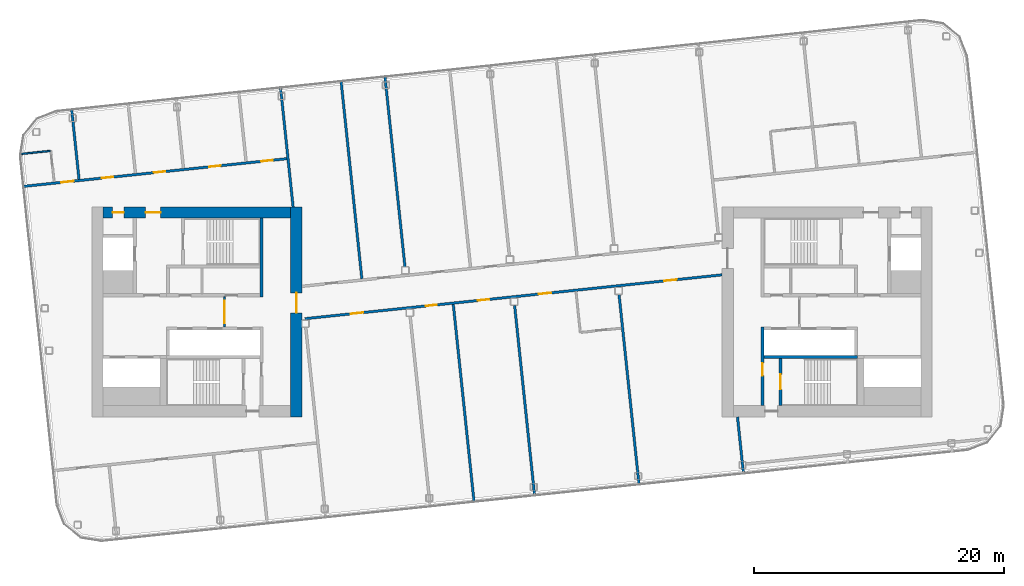
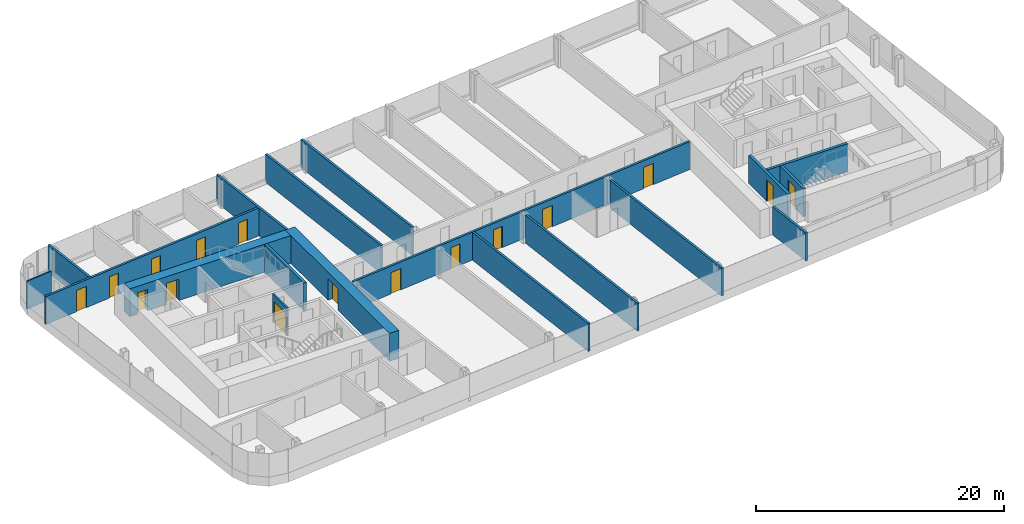
# One storey, part 15 of 26: 18 walls, 16 doors, 16 openings.
"""IFC4 building model written with IfcOpenShell, lengths in metres."""

from ifc_helpers import new_model, si_unit, direction, frame, frame_2d, origin, place, context, subcontext, project, spatial, rectangle, extrude, material, layer, layer_set, type_object, element, fill, save


model = new_model("IFC4")

# Units and contexts
model_context = context("Model", 3, precision=1e-05, world=origin(), true_north=direction((0.0, 1.0)))
body_context = subcontext(model_context, "Body", "Model", "MODEL_VIEW")
ifc_project = project(units=[si_unit("LENGTHUNIT", "METRE"), si_unit("AREAUNIT", "SQUARE_METRE"), si_unit("VOLUMEUNIT", "CUBIC_METRE"), si_unit("PLANEANGLEUNIT", "RADIAN"), si_unit("MASSUNIT", "GRAM", prefix="KILO")], contexts=[model_context])

# Site, building, storey
site_placement = place(None, origin())
site = spatial("IfcSite", under=ifc_project, at=site_placement, CompositionType="ELEMENT")
building_placement = place(site_placement, origin())
building = spatial("IfcBuilding", under=site, at=building_placement, Name="Hakoniwa Tower and Hamabe Station Hall", CompositionType="ELEMENT")
storey_placement = place(building_placement, frame((0.0, 0.0, 251.800048828125)))
storey = spatial("IfcBuildingStorey", under=building, at=storey_placement, Name="L71", CompositionType="ELEMENT", Elevation=251.800048828125)

# Wall
ifc_material_1 = material(Name="Gypsum board partition", Category="gypsum")
ifc_layer_1 = layer(ifc_material_1, 0.125)
ifc_layer_set_1 = layer_set([ifc_layer_1], Name="Bathroom Partition 125")
wall_type_1 = type_object("IfcWallType", Name="Bathroom Partition 125", PredefinedType="PARTITIONING", material=ifc_layer_set_1)
wall_1_placement = place(storey_placement, frame((-39.336181640625, 12.62353515625, 0.0), z_axis=(0.0, 0.0, 1.0), x_axis=(0.994528281662, 0.104467683877, 0.0)))
element("IfcWall", 1, at=wall_1_placement, inside=storey, type_object=wall_type_1, Name="GW-L71-009", PredefinedType="PARTITIONING", context=body_context, shape_type="SweptSolid", body=[
    extrude(rectangle(XDim=2.400146484375, YDim=0.125, at=frame_2d((1.2001953125, 0.0))), origin(), (0.0, 0.0, 1.0), 2.75),
])

# Wall, opening, door
ifc_material_2 = material(Name="Gypsum board partition")
ifc_layer_2 = layer(ifc_material_2, 0.14990234375)
ifc_layer_set_2 = layer_set([ifc_layer_2], Name="CORE PARTITION 150 EI 60")
wall_type_2 = type_object("IfcWallType", Name="CORE PARTITION 150 EI 60", PredefinedType="PARTITIONING", material=ifc_layer_set_2)
wall_2_placement = place(storey_placement, frame((-23.0, -1.199951171875, 0.0), z_axis=(0.0, 0.0, 1.0), x_axis=(0.0, 1.0, 0.0)))
wall_2 = element("IfcWall", 2, at=wall_2_placement, inside=storey, type_object=wall_type_2, Name="Core partition PL0 west", PredefinedType="PARTITIONING", context=body_context, shape_type="SweptSolid", body=[
    extrude(rectangle(XDim=2.39990234375, YDim=0.14990234375, at=frame_2d((1.199951171875, 0.0))), origin(), (0.0, 0.0, 1.0), 2.75),
])
opening_1_placement = place(wall_2_placement, frame((0.300048828125, 0.0, 0.0)))
opening_1 = element("IfcOpeningElement", 3, at=opening_1_placement, cuts=wall_2, Name="Opening CD-W-LP0-18", PredefinedType="OPENING", context=body_context, shape_type="SweptSolid", body=[
    extrude(rectangle(XDim=1.800048828125, YDim=2.10009765625, at=frame_2d((0.89990234375, 1.050048828125))), frame((0.0, 0.0849609375, 0.0), z_axis=(0.0, -1.0, 0.0), x_axis=(1.0, 0.0, 0.0)), (0.0, 0.0, 1.0), 0.169921875),
])
ifc_material_3 = material(Name="Steel fire door", Category="steel")
door_type_1 = type_object("IfcDoorType", Name="CORE DOOR 1800 FD60", OperationType="DOUBLE_DOOR_SINGLE_SWING", PredefinedType="DOOR", material=ifc_material_3)
door_1_placement = place(opening_1_placement, origin())
door_1 = element("IfcDoor", 4, at=door_1_placement, inside=storey, type_object=door_type_1, Name="Lift lobby partition door", OperationType="DOUBLE_DOOR_SINGLE_SWING", OverallHeight=2.10009765625, OverallWidth=1.800048828125, PredefinedType="DOOR", context=body_context, shape_type="SweptSolid", body=[
    extrude(rectangle(XDim=1.800048828125, YDim=2.10009765625, at=frame_2d((0.89990234375, 1.050048828125))), frame((0.0, 0.02490234375, 0.0), z_axis=(0.0, -1.0, 0.0), x_axis=(1.0, 0.0, 0.0)), (0.0, 0.0, 1.0), 0.050048828125),
])
fill(opening_1, door_1)

ifc_material_4 = material(Name="Concrete C60", Category="concrete")
ifc_layer_3 = layer(ifc_material_4, 0.89990234375)
ifc_layer_set_3 = layer_set([ifc_layer_3], Name="CORE WALL 900 C60")
wall_type_3 = type_object("IfcWallType", Name="CORE WALL 900 C60", PredefinedType="SHEAR", material=ifc_layer_set_3)
wall_3_placement = place(storey_placement, frame((-17.25, -8.39990234375, 0.0), z_axis=(0.0, 0.0, 1.0), x_axis=(0.0, 1.0, 0.0)))
wall_3 = element("IfcWall", 5, at=wall_3_placement, inside=storey, type_object=wall_type_3, Name="Core wall INNER west", PredefinedType="SHEAR", context=body_context, shape_type="SweptSolid", body=[
    extrude(rectangle(XDim=16.7998046875, YDim=0.89990234375, at=frame_2d((8.39990234375, 0.0))), origin(), (0.0, 0.0, 1.0), 2.75),
])
opening_2_placement = place(wall_3_placement, frame((8.321044921875, 0.0, 0.0)))
opening_2 = element("IfcOpeningElement", 6, at=opening_2_placement, cuts=wall_3, Name="Opening CD-W-IN1-16", PredefinedType="OPENING", context=body_context, shape_type="SweptSolid", body=[
    extrude(rectangle(XDim=1.60009765625, YDim=2.10009765625, at=frame_2d((0.800048828125, 1.050048828125))), frame((0.0, 0.4599609375, 0.0), z_axis=(0.0, -1.0, 0.0), x_axis=(1.0, 0.0, 0.0)), (0.0, 0.0, 1.0), 0.919921875),
])
ifc_material_5 = material(Name="Steel fire door", Category="steel")
door_type_2 = type_object("IfcDoorType", Name="CORE DOOR 1600 FD60", OperationType="DOUBLE_DOOR_SINGLE_SWING", PredefinedType="DOOR", material=ifc_material_5)
door_2_placement = place(opening_2_placement, origin())
door_2 = element("IfcDoor", 7, at=door_2_placement, inside=storey, type_object=door_type_2, Name="Lift lobby door", OperationType="DOUBLE_DOOR_SINGLE_SWING", OverallHeight=2.10009765625, OverallWidth=1.60009765625, PredefinedType="DOOR", context=body_context, shape_type="SweptSolid", body=[
    extrude(rectangle(XDim=1.60009765625, YDim=2.10009765625, at=frame_2d((0.800048828125, 1.050048828125))), frame((0.0, 0.02490234375, 0.0), z_axis=(0.0, -1.0, 0.0), x_axis=(1.0, 0.0, 0.0)), (0.0, 0.0, 1.0), 0.050048828125),
])
fill(opening_2, door_2)

# Wall, openings, doors
wall_4_placement = place(storey_placement, frame((-32.699951171875, 7.949951171875, 0.0), z_axis=(0.0, 0.0, 1.0), x_axis=(1.0, 0.0, 0.0)))
wall_4 = element("IfcWall", 8, at=wall_4_placement, inside=storey, type_object=wall_type_3, Name="Core wall NORTH west", PredefinedType="SHEAR", context=body_context, shape_type="SweptSolid", body=[
    extrude(rectangle(XDim=15.0, YDim=0.89990234375, at=frame_2d((7.5, 0.0))), origin(), (0.0, 0.0, 1.0), 2.75),
])
opening_3_placement = place(wall_4_placement, frame((3.39990234375, 0.0, 0.0)))
opening_3 = element("IfcOpeningElement", 9, at=opening_3_placement, cuts=wall_4, Name="Opening CD-W-FN1-12", PredefinedType="OPENING", context=body_context, shape_type="SweptSolid", body=[
    extrude(rectangle(XDim=1.199951171875, YDim=2.10009765625, at=frame_2d((0.60009765625, 1.050048828125))), frame((0.0, 0.4599609375, 0.0), z_axis=(0.0, -1.0, 0.0), x_axis=(1.0, 0.0, 0.0)), (0.0, 0.0, 1.0), 0.919921875),
])
opening_4_placement = place(wall_4_placement, frame((0.75, 0.0, 0.0)))
opening_4 = element("IfcOpeningElement", 10, at=opening_4_placement, cuts=wall_4, Name="Opening CD-W-FN2-9", PredefinedType="OPENING", context=body_context, shape_type="SweptSolid", body=[
    extrude(rectangle(XDim=0.89990234375, YDim=2.10009765625, at=frame_2d((0.449951171875, 1.050048828125))), frame((0.0, 0.4599609375, 0.0), z_axis=(0.0, -1.0, 0.0), x_axis=(1.0, 0.0, 0.0)), (0.0, 0.0, 1.0), 0.919921875),
])
ifc_material_6 = material(Name="Steel fire door", Category="steel")
door_type_3 = type_object("IfcDoorType", Name="CORE DOOR 1200 FD60", OperationType="DOUBLE_DOOR_SINGLE_SWING", PredefinedType="DOOR", material=ifc_material_6)
door_3_placement = place(opening_3_placement, origin())
door_3 = element("IfcDoor", 11, at=door_3_placement, inside=storey, type_object=door_type_3, Name="Stair vestibule door to the fire-fighting lobby", OperationType="DOUBLE_DOOR_SINGLE_SWING", OverallHeight=2.10009765625, OverallWidth=1.199951171875, PredefinedType="DOOR", context=body_context, shape_type="SweptSolid", body=[
    extrude(rectangle(XDim=1.199951171875, YDim=2.10009765625, at=frame_2d((0.60009765625, 1.050048828125))), frame((0.0, 0.02490234375, 0.0), z_axis=(0.0, -1.0, 0.0), x_axis=(1.0, 0.0, 0.0)), (0.0, 0.0, 1.0), 0.050048828125),
])
fill(opening_3, door_3)
ifc_material_7 = material(Name="Steel fire door", Category="steel")
door_type_4 = type_object("IfcDoorType", Name="CORE DOOR 900 FD30", OperationType="NOTDEFINED", PredefinedType="DOOR", material=ifc_material_7)
door_4_placement = place(opening_4_placement, origin())
door_4 = element("IfcDoor", 12, at=door_4_placement, inside=storey, type_object=door_type_4, Name="Riser access door", OperationType="SINGLE_SWING_RIGHT", OverallHeight=2.10009765625, OverallWidth=0.89990234375, PredefinedType="DOOR", context=body_context, shape_type="SweptSolid", body=[
    extrude(rectangle(XDim=0.89990234375, YDim=2.10009765625, at=frame_2d((0.449951171875, 1.050048828125))), frame((0.0, 0.02490234375, 0.0), z_axis=(0.0, -1.0, 0.0), x_axis=(1.0, 0.0, 0.0)), (0.0, 0.0, 1.0), 0.050048828125),
])
fill(opening_4, door_4)

# Wall
ifc_material_8 = material(Name="Concrete C60", Category="concrete")
ifc_layer_4 = layer(ifc_material_8, 0.25)
ifc_layer_set_4 = layer_set([ifc_layer_4], Name="CORE WEB WALL 250 C60")
wall_type_4 = type_object("IfcWallType", Name="CORE WEB WALL 250 C60", PredefinedType="SHEAR", material=ifc_layer_set_4)
wall_5_placement = place(storey_placement, frame((-20.02490234375, 1.199951171875, 0.0), z_axis=(0.0, 0.0, 1.0), x_axis=(0.0, 1.0, 0.0)))
element("IfcWall", 13, at=wall_5_placement, inside=storey, type_object=wall_type_4, Name="Core wall W1N west", PredefinedType="SHEAR", context=body_context, shape_type="SweptSolid", body=[
    extrude(rectangle(XDim=6.300048828125, YDim=0.25, at=frame_2d((3.14990234375, 0.0))), origin(), (0.0, 0.0, 1.0), 2.75),
])

# Wall, opening, door
wall_6_placement = place(storey_placement, frame((20.02490234375, -7.5, 0.0), z_axis=(0.0, 0.0, 1.0), x_axis=(0.0, 1.0, 0.0)))
wall_6 = element("IfcWall", 14, at=wall_6_placement, inside=storey, type_object=wall_type_4, Name="Core wall W1S east", PredefinedType="SHEAR", context=body_context, shape_type="SweptSolid", body=[
    extrude(rectangle(XDim=6.300048828125, YDim=0.25, at=frame_2d((3.14990234375, 0.0))), origin(), (0.0, 0.0, 1.0), 2.75),
])
opening_5_placement = place(wall_6_placement, frame((2.39990234375, 0.0, 0.0)))
opening_5 = element("IfcOpeningElement", 15, at=opening_5_placement, cuts=wall_6, Name="Opening CD-E-VS-10", PredefinedType="OPENING", context=body_context, shape_type="SweptSolid", body=[
    extrude(rectangle(XDim=1.0, YDim=2.10009765625, at=frame_2d((0.5, 1.050048828125))), frame((0.0, 0.135009765625, 0.0), z_axis=(0.0, -1.0, 0.0), x_axis=(1.0, 0.0, 0.0)), (0.0, 0.0, 1.0), 0.27001953125),
])
ifc_material_9 = material(Name="Steel fire door", Category="steel")
door_type_5 = type_object("IfcDoorType", Name="CORE DOOR 1000 FD60", OperationType="NOTDEFINED", PredefinedType="DOOR", material=ifc_material_9)
door_5_placement = place(opening_5_placement, origin())
door_5 = element("IfcDoor", 16, at=door_5_placement, inside=storey, type_object=door_type_5, Name="Stair vestibule door", OperationType="SINGLE_SWING_RIGHT", OverallHeight=2.10009765625, OverallWidth=1.0, PredefinedType="DOOR", context=body_context, shape_type="SweptSolid", body=[
    extrude(rectangle(XDim=1.0, YDim=2.10009765625, at=frame_2d((0.5, 1.050048828125))), frame((0.0, 0.02490234375, 0.0), z_axis=(0.0, -1.0, 0.0), x_axis=(1.0, 0.0, 0.0)), (0.0, 0.0, 1.0), 0.050048828125),
])
fill(opening_5, door_5)

# Wall
wall_7_placement = place(storey_placement, frame((20.14990234375, -3.625, 0.0), z_axis=(0.0, 0.0, 1.0), x_axis=(1.0, 0.0, 0.0)))
element("IfcWall", 17, at=wall_7_placement, inside=storey, type_object=wall_type_4, Name="Core wall SR east", PredefinedType="SHEAR", context=body_context, shape_type="SweptSolid", body=[
    extrude(rectangle(XDim=7.5, YDim=0.25, at=frame_2d((3.75, 0.0))), origin(), (0.0, 0.0, 1.0), 2.75),
])

# Wall, opening, door
wall_8_placement = place(storey_placement, frame((21.47509765625, -7.5, 0.0), z_axis=(0.0, 0.0, 1.0), x_axis=(0.0, 1.0, 0.0)))
wall_8 = element("IfcWall", 18, at=wall_8_placement, inside=storey, type_object=wall_type_4, Name="Core wall VE east", PredefinedType="SHEAR", context=body_context, shape_type="SweptSolid", body=[
    extrude(rectangle(XDim=3.75, YDim=0.25, at=frame_2d((1.875, 0.0))), origin(), (0.0, 0.0, 1.0), 2.75),
])
opening_6_placement = place(wall_8_placement, frame((1.300048828125, 0.0, 0.0)))
opening_6 = element("IfcOpeningElement", 19, at=opening_6_placement, cuts=wall_8, Name="Opening CD-E-SS-12", PredefinedType="OPENING", context=body_context, shape_type="SweptSolid", body=[
    extrude(rectangle(XDim=1.199951171875, YDim=2.10009765625, at=frame_2d((0.60009765625, 1.050048828125))), frame((0.0, 0.135009765625, 0.0), z_axis=(0.0, -1.0, 0.0), x_axis=(1.0, 0.0, 0.0)), (0.0, 0.0, 1.0), 0.27001953125),
])
door_6_placement = place(opening_6_placement, origin())
door_6 = element("IfcDoor", 20, at=door_6_placement, inside=storey, type_object=door_type_3, Name="Escape stair door", OperationType="DOUBLE_DOOR_SINGLE_SWING", OverallHeight=2.10009765625, OverallWidth=1.199951171875, PredefinedType="DOOR", context=body_context, shape_type="SweptSolid", body=[
    extrude(rectangle(XDim=1.199951171875, YDim=2.10009765625, at=frame_2d((0.60009765625, 1.050048828125))), frame((0.0, 0.02490234375, 0.0), z_axis=(0.0, -1.0, 0.0), x_axis=(1.0, 0.0, 0.0)), (0.0, 0.0, 1.0), 0.050048828125),
])
fill(opening_6, door_6)

# Wall, openings, doors
ifc_material_10 = material(Name="Fire-rated gypsum board partition", Category="gypsum")
ifc_layer_5 = layer(ifc_material_10, 0.199951171875)
ifc_layer_set_5 = layer_set([ifc_layer_5], Name="Corridor Wall 200")
wall_type_5 = type_object("IfcWallType", Name="Corridor Wall 200", PredefinedType="PARTITIONING", material=ifc_layer_set_5)
wall_9_placement = place(storey_placement, frame((-16.572021484375, -0.549072265625, 0.0), z_axis=(0.0, 0.0, 1.0), x_axis=(0.994521146831, 0.104535584879, 0.0)))
wall_9 = element("IfcWall", 21, at=wall_9_placement, inside=storey, type_object=wall_type_5, Name="GW-L71-004", PredefinedType="PARTITIONING", context=body_context, shape_type="SweptSolid", body=[
    extrude(rectangle(XDim=33.560791015625, YDim=0.199951171875, at=frame_2d((16.7802734375, 0.0))), origin(), (0.0, 0.0, 1.0), 2.75),
])
opening_7_placement = place(wall_9_placement, frame((3.699951171875, 0.0, 0.0)))
opening_7 = element("IfcOpeningElement", 22, at=opening_7_placement, cuts=wall_9, Name="Opening GD-G5A1-06", PredefinedType="OPENING", context=body_context, shape_type="SweptSolid", body=[
    extrude(rectangle(XDim=1.0, YDim=2.10009765625, at=frame_2d((0.5, 1.050048828125))), frame((0.0, 0.10986328125, 0.0), z_axis=(0.0, -1.0, 0.0), x_axis=(1.0, 0.0, 0.0)), (0.0, 0.0, 1.0), 0.219970703125),
])
opening_8_placement = place(wall_9_placement, frame((9.715087890625, 0.0, 0.0)))
opening_8 = element("IfcOpeningElement", 23, at=opening_8_placement, cuts=wall_9, Name="Opening GD-G5A1-07", PredefinedType="OPENING", context=body_context, shape_type="SweptSolid", body=[
    extrude(rectangle(XDim=0.89990234375, YDim=2.10009765625, at=frame_2d((0.449951171875, 1.050048828125))), frame((0.0, 0.10986328125, 0.0), z_axis=(0.0, -1.0, 0.0), x_axis=(1.0, 0.0, 0.0)), (0.0, 0.0, 1.0), 0.219970703125),
])
opening_9_placement = place(wall_9_placement, frame((13.9150390625, 0.0, 0.0)))
opening_9 = element("IfcOpeningElement", 24, at=opening_9_placement, cuts=wall_9, Name="Opening GD-G5A1-08", PredefinedType="OPENING", context=body_context, shape_type="SweptSolid", body=[
    extrude(rectangle(XDim=0.89990234375, YDim=2.10009765625, at=frame_2d((0.449951171875, 1.050048828125))), frame((0.0, 0.10986328125, 0.0), z_axis=(0.0, -1.0, 0.0), x_axis=(1.0, 0.0, 0.0)), (0.0, 0.0, 1.0), 0.219970703125),
])
opening_10_placement = place(wall_9_placement, frame((18.800048828125, 0.0, 0.0)))
opening_10 = element("IfcOpeningElement", 25, at=opening_10_placement, cuts=wall_9, Name="Opening GD-G5A1-09", PredefinedType="OPENING", context=body_context, shape_type="SweptSolid", body=[
    extrude(rectangle(XDim=1.0, YDim=2.10009765625, at=frame_2d((0.5, 1.050048828125))), frame((0.0, 0.10986328125, 0.0), z_axis=(0.0, -1.0, 0.0), x_axis=(1.0, 0.0, 0.0)), (0.0, 0.0, 1.0), 0.219970703125),
])
opening_11_placement = place(wall_9_placement, frame((28.89990234375, 0.0, 0.0)))
opening_11 = element("IfcOpeningElement", 26, at=opening_11_placement, cuts=wall_9, Name="Opening GD-G5A1-10", PredefinedType="OPENING", context=body_context, shape_type="SweptSolid", body=[
    extrude(rectangle(XDim=1.0, YDim=2.10009765625, at=frame_2d((0.5, 1.050048828125))), frame((0.0, 0.10986328125, 0.0), z_axis=(0.0, -1.0, 0.0), x_axis=(1.0, 0.0, 0.0)), (0.0, 0.0, 1.0), 0.219970703125),
])
ifc_material_11 = material(Name="Timber door leaf", Category="wood")
door_type_6 = type_object("IfcDoorType", Name="Guest Entrance Door 1000", OperationType="SINGLE_SWING_LEFT", PredefinedType="DOOR", material=ifc_material_11)
door_7_placement = place(opening_7_placement, origin())
door_7 = element("IfcDoor", 27, at=door_7_placement, inside=storey, type_object=door_type_6, Name="Door GD-G5A1-06", OperationType="SINGLE_SWING_RIGHT", OverallHeight=2.10009765625, OverallWidth=1.0, PredefinedType="DOOR", context=body_context, shape_type="SweptSolid", body=[
    extrude(rectangle(XDim=1.0, YDim=2.10009765625, at=frame_2d((0.5, 1.050048828125))), frame((0.0, 0.02490234375, 0.0), z_axis=(0.0, -1.0, 0.0), x_axis=(1.0, 0.0, 0.0)), (0.0, 0.0, 1.0), 0.050048828125),
])
fill(opening_7, door_7)
door_8_placement = place(opening_10_placement, origin())
door_8 = element("IfcDoor", 28, at=door_8_placement, inside=storey, type_object=door_type_6, Name="Door GD-G5A1-09", OperationType="SINGLE_SWING_LEFT", OverallHeight=2.10009765625, OverallWidth=1.0, PredefinedType="DOOR", context=body_context, shape_type="SweptSolid", body=[
    extrude(rectangle(XDim=1.0, YDim=2.10009765625, at=frame_2d((0.5, 1.050048828125))), frame((0.0, 0.02490234375, 0.0), z_axis=(0.0, -1.0, 0.0), x_axis=(1.0, 0.0, 0.0)), (0.0, 0.0, 1.0), 0.050048828125),
])
fill(opening_10, door_8)
door_9_placement = place(opening_11_placement, origin())
door_9 = element("IfcDoor", 29, at=door_9_placement, inside=storey, type_object=door_type_6, Name="Door GD-G5A1-10", OperationType="SINGLE_SWING_LEFT", OverallHeight=2.10009765625, OverallWidth=1.0, PredefinedType="DOOR", context=body_context, shape_type="SweptSolid", body=[
    extrude(rectangle(XDim=1.0, YDim=2.10009765625, at=frame_2d((0.5, 1.050048828125))), frame((0.0, 0.02490234375, 0.0), z_axis=(0.0, -1.0, 0.0), x_axis=(1.0, 0.0, 0.0)), (0.0, 0.0, 1.0), 0.050048828125),
])
fill(opening_11, door_9)
ifc_material_12 = material(Name="Timber door leaf", Category="wood")
door_type_7 = type_object("IfcDoorType", Name="Service Door 900", OperationType="SINGLE_SWING_LEFT", PredefinedType="DOOR", material=ifc_material_12)
door_10_placement = place(opening_8_placement, origin())
door_10 = element("IfcDoor", 30, at=door_10_placement, inside=storey, type_object=door_type_7, Name="Door GD-G5A1-07", OperationType="SINGLE_SWING_RIGHT", OverallHeight=2.10009765625, OverallWidth=0.89990234375, PredefinedType="DOOR", context=body_context, shape_type="SweptSolid", body=[
    extrude(rectangle(XDim=0.89990234375, YDim=2.10009765625, at=frame_2d((0.449951171875, 1.050048828125))), frame((0.0, 0.02490234375, 0.0), z_axis=(0.0, -1.0, 0.0), x_axis=(1.0, 0.0, 0.0)), (0.0, 0.0, 1.0), 0.050048828125),
])
fill(opening_8, door_10)
door_11_placement = place(opening_9_placement, origin())
door_11 = element("IfcDoor", 31, at=door_11_placement, inside=storey, type_object=door_type_7, Name="Door GD-G5A1-08", OperationType="SINGLE_SWING_RIGHT", OverallHeight=2.10009765625, OverallWidth=0.89990234375, PredefinedType="DOOR", context=body_context, shape_type="SweptSolid", body=[
    extrude(rectangle(XDim=0.89990234375, YDim=2.10009765625, at=frame_2d((0.449951171875, 1.050048828125))), frame((0.0, 0.02490234375, 0.0), z_axis=(0.0, -1.0, 0.0), x_axis=(1.0, 0.0, 0.0)), (0.0, 0.0, 1.0), 0.050048828125),
])
fill(opening_9, door_11)

wall_10_placement = place(storey_placement, frame((-39.101806640625, 10.033935546875, 0.0), z_axis=(0.0, 0.0, 1.0), x_axis=(0.994522585465, 0.104521897229, 0.0)))
wall_10 = element("IfcWall", 32, at=wall_10_placement, inside=storey, type_object=wall_type_5, Name="GW-L71-008", PredefinedType="PARTITIONING", context=body_context, shape_type="SweptSolid", body=[
    extrude(rectangle(XDim=21.300048828125, YDim=0.199951171875, at=frame_2d((10.64990234375, 0.0))), origin(), (0.0, 0.0, 1.0), 2.75),
])
opening_12_placement = place(wall_10_placement, frame((3.050048828125, 0.0, 0.0)))
opening_12 = element("IfcOpeningElement", 33, at=opening_12_placement, cuts=wall_10, Name="Opening GD-G5A1-23", PredefinedType="OPENING", context=body_context, shape_type="SweptSolid", body=[
    extrude(rectangle(XDim=1.0, YDim=2.10009765625, at=frame_2d((0.5, 1.050048828125))), frame((0.0, 0.10986328125, 0.0), z_axis=(0.0, -1.0, 0.0), x_axis=(1.0, 0.0, 0.0)), (0.0, 0.0, 1.0), 0.219970703125),
])
opening_13_placement = place(wall_10_placement, frame((6.320068359375, 0.0, 0.0)))
opening_13 = element("IfcOpeningElement", 34, at=opening_13_placement, cuts=wall_10, Name="Opening GD-G5A1-24", PredefinedType="OPENING", context=body_context, shape_type="SweptSolid", body=[
    extrude(rectangle(XDim=0.89990234375, YDim=2.10009765625, at=frame_2d((0.449951171875, 1.050048828125))), frame((0.0, 0.10986328125, 0.0), z_axis=(0.0, -1.0, 0.0), x_axis=(1.0, 0.0, 0.0)), (0.0, 0.0, 1.0), 0.219970703125),
])
opening_14_placement = place(wall_10_placement, frame((10.52001953125, 0.0, 0.0)))
opening_14 = element("IfcOpeningElement", 35, at=opening_14_placement, cuts=wall_10, Name="Opening GD-G5A1-25", PredefinedType="OPENING", context=body_context, shape_type="SweptSolid", body=[
    extrude(rectangle(XDim=0.89990234375, YDim=2.10009765625, at=frame_2d((0.449951171875, 1.050048828125))), frame((0.0, 0.10986328125, 0.0), z_axis=(0.0, -1.0, 0.0), x_axis=(1.0, 0.0, 0.0)), (0.0, 0.0, 1.0), 0.219970703125),
])
opening_15_placement = place(wall_10_placement, frame((14.969970703125, 0.0, 0.0)))
opening_15 = element("IfcOpeningElement", 36, at=opening_15_placement, cuts=wall_10, Name="Opening GD-G5A1-26", PredefinedType="OPENING", context=body_context, shape_type="SweptSolid", body=[
    extrude(rectangle(XDim=0.89990234375, YDim=2.10009765625, at=frame_2d((0.449951171875, 1.050048828125))), frame((0.0, 0.10986328125, 0.0), z_axis=(0.0, -1.0, 0.0), x_axis=(1.0, 0.0, 0.0)), (0.0, 0.0, 1.0), 0.219970703125),
])
opening_16_placement = place(wall_10_placement, frame((19.169921875, 0.0, 0.0)))
opening_16 = element("IfcOpeningElement", 37, at=opening_16_placement, cuts=wall_10, Name="Opening GD-G5A1-27", PredefinedType="OPENING", context=body_context, shape_type="SweptSolid", body=[
    extrude(rectangle(XDim=0.89990234375, YDim=2.10009765625, at=frame_2d((0.449951171875, 1.050048828125))), frame((0.0, 0.10986328125, 0.0), z_axis=(0.0, -1.0, 0.0), x_axis=(1.0, 0.0, 0.0)), (0.0, 0.0, 1.0), 0.219970703125),
])
door_12_placement = place(opening_12_placement, origin())
door_12 = element("IfcDoor", 38, at=door_12_placement, inside=storey, type_object=door_type_6, Name="Door GD-G5A1-23", OperationType="SINGLE_SWING_LEFT", OverallHeight=2.10009765625, OverallWidth=1.0, PredefinedType="DOOR", context=body_context, shape_type="SweptSolid", body=[
    extrude(rectangle(XDim=1.0, YDim=2.10009765625, at=frame_2d((0.5, 1.050048828125))), frame((0.0, 0.02490234375, 0.0), z_axis=(0.0, -1.0, 0.0), x_axis=(1.0, 0.0, 0.0)), (0.0, 0.0, 1.0), 0.050048828125),
])
fill(opening_12, door_12)
door_13_placement = place(opening_13_placement, origin())
door_13 = element("IfcDoor", 39, at=door_13_placement, inside=storey, type_object=door_type_7, Name="Door GD-G5A1-24", OperationType="SINGLE_SWING_LEFT", OverallHeight=2.10009765625, OverallWidth=0.89990234375, PredefinedType="DOOR", context=body_context, shape_type="SweptSolid", body=[
    extrude(rectangle(XDim=0.89990234375, YDim=2.10009765625, at=frame_2d((0.449951171875, 1.050048828125))), frame((0.0, 0.02490234375, 0.0), z_axis=(0.0, -1.0, 0.0), x_axis=(1.0, 0.0, 0.0)), (0.0, 0.0, 1.0), 0.050048828125),
])
fill(opening_13, door_13)
door_14_placement = place(opening_14_placement, origin())
door_14 = element("IfcDoor", 40, at=door_14_placement, inside=storey, type_object=door_type_7, Name="Door GD-G5A1-25", OperationType="SINGLE_SWING_RIGHT", OverallHeight=2.10009765625, OverallWidth=0.89990234375, PredefinedType="DOOR", context=body_context, shape_type="SweptSolid", body=[
    extrude(rectangle(XDim=0.89990234375, YDim=2.10009765625, at=frame_2d((0.449951171875, 1.050048828125))), frame((0.0, 0.02490234375, 0.0), z_axis=(0.0, -1.0, 0.0), x_axis=(1.0, 0.0, 0.0)), (0.0, 0.0, 1.0), 0.050048828125),
])
fill(opening_14, door_14)
door_15_placement = place(opening_15_placement, origin())
door_15 = element("IfcDoor", 41, at=door_15_placement, inside=storey, type_object=door_type_7, Name="Door GD-G5A1-26", OperationType="SINGLE_SWING_LEFT", OverallHeight=2.10009765625, OverallWidth=0.89990234375, PredefinedType="DOOR", context=body_context, shape_type="SweptSolid", body=[
    extrude(rectangle(XDim=0.89990234375, YDim=2.10009765625, at=frame_2d((0.449951171875, 1.050048828125))), frame((0.0, 0.02490234375, 0.0), z_axis=(0.0, -1.0, 0.0), x_axis=(1.0, 0.0, 0.0)), (0.0, 0.0, 1.0), 0.050048828125),
])
fill(opening_15, door_15)
door_16_placement = place(opening_16_placement, origin())
door_16 = element("IfcDoor", 42, at=door_16_placement, inside=storey, type_object=door_type_7, Name="Door GD-G5A1-27", OperationType="SINGLE_SWING_RIGHT", OverallHeight=2.10009765625, OverallWidth=0.89990234375, PredefinedType="DOOR", context=body_context, shape_type="SweptSolid", body=[
    extrude(rectangle(XDim=0.89990234375, YDim=2.10009765625, at=frame_2d((0.449951171875, 1.050048828125))), frame((0.0, 0.02490234375, 0.0), z_axis=(0.0, -1.0, 0.0), x_axis=(1.0, 0.0, 0.0)), (0.0, 0.0, 1.0), 0.050048828125),
])
fill(opening_16, door_16)

# Walls
ifc_material_13 = material(Name="Fire-rated gypsum board partition", Category="gypsum")
ifc_layer_6 = layer(ifc_material_13, 0.199951171875)
ifc_layer_set_6 = layer_set([ifc_layer_6], Name="Party Wall 200")
wall_type_6 = type_object("IfcWallType", Name="Party Wall 200", PredefinedType="PARTITIONING", material=ifc_layer_set_6)
wall_11_placement = place(storey_placement, frame((-34.63671875, 10.603759765625, 0.0), z_axis=(0.0, 0.0, 1.0), x_axis=(-0.104560413987, 0.994518536693, 0.0)))
element("IfcWall", 43, at=wall_11_placement, inside=storey, type_object=wall_type_6, Name="GW-L71-012", PredefinedType="PARTITIONING", context=body_context, shape_type="SweptSolid", body=[
    extrude(rectangle(XDim=5.6201171875, YDim=0.199951171875, at=frame_2d((2.81005859375, 0.0))), origin(), (0.0, 0.0, 1.0), 2.75),
])
wall_12_placement = place(storey_placement, frame((-17.51220703125, 8.39501953125, 0.0), z_axis=(0.0, 0.0, 1.0), x_axis=(-0.104524714473, 0.994522289375, 0.0)))
element("IfcWall", 44, at=wall_12_placement, inside=storey, type_object=wall_type_6, Name="GW-L71-019", PredefinedType="PARTITIONING", context=body_context, shape_type="SweptSolid", body=[
    extrude(rectangle(XDim=9.60693359375, YDim=0.199951171875, at=frame_2d((4.803466796875, 0.0))), origin(), (0.0, 0.0, 1.0), 2.75),
])
wall_13_placement = place(storey_placement, frame((-12.010986328125, 2.645263671875, 0.0), z_axis=(0.0, 0.0, 1.0), x_axis=(-0.104534518003, 0.994521258971, 0.0)))
element("IfcWall", 45, at=wall_13_placement, inside=storey, type_object=wall_type_6, Name="GW-L71-020", PredefinedType="PARTITIONING", context=body_context, shape_type="SweptSolid", body=[
    extrude(rectangle(XDim=15.900146484375, YDim=0.199951171875, at=frame_2d((7.9501953125, 0.0))), origin(), (0.0, 0.0, 1.0), 2.75),
])
wall_14_placement = place(storey_placement, frame((-8.562255859375, 3.6025390625, 0.0), z_axis=(0.0, 0.0, 1.0), x_axis=(-0.104523729364, 0.99452239291, 0.0)))
element("IfcWall", 46, at=wall_14_placement, inside=storey, type_object=wall_type_6, Name="GW-L71-022", PredefinedType="PARTITIONING", context=body_context, shape_type="SweptSolid", body=[
    extrude(rectangle(XDim=15.308349609375, YDim=0.199951171875, at=frame_2d((7.654296875, 0.0))), origin(), (0.0, 0.0, 1.0), 2.75),
])
wall_15_placement = place(storey_placement, frame((-3.034912109375, -15.21435546875, 0.0), z_axis=(0.0, 0.0, 1.0), x_axis=(-0.104534518003, 0.994521258971, 0.0)))
element("IfcWall", 47, at=wall_15_placement, inside=storey, type_object=wall_type_6, Name="GW-L71-023", PredefinedType="PARTITIONING", context=body_context, shape_type="SweptSolid", body=[
    extrude(rectangle(XDim=15.900146484375, YDim=0.199951171875, at=frame_2d((7.9501953125, 0.0))), origin(), (0.0, 0.0, 1.0), 2.75),
])
for number, where, z_axis, x_axis, name in (
    (48, (1.808349609375, -14.705322265625, 0.0), (0.0, 0.0, 1.0), (-0.104523729364, 0.99452239291, 0.0), "GW-L71-025"),
    (49, (10.162353515625, -13.8271484375, 0.0), (0.0, 0.0, 1.0), (-0.104523729364, 0.99452239291, 0.0), "GW-L71-029"),
):
    element("IfcWall", number, at=place(storey_placement, frame(where, z_axis=z_axis, x_axis=x_axis)), inside=storey, type_object=wall_type_6, Name=name, PredefinedType="PARTITIONING", context=body_context, shape_type="SweptSolid", body=[
        extrude(rectangle(XDim=15.308349609375, YDim=0.199951171875, at=frame_2d((7.654296875, 0.0))), origin(), (0.0, 0.0, 1.0), 2.75),
    ])
wall_16_placement = place(storey_placement, frame((18.516357421875, -12.94921875, 0.0), z_axis=(0.0, 0.0, 1.0), x_axis=(-0.104548796268, 0.994519758074, 0.0)))
element("IfcWall", 50, at=wall_16_placement, inside=storey, type_object=wall_type_6, Name="GW-L71-031", PredefinedType="PARTITIONING", context=body_context, shape_type="SweptSolid", body=[
    extrude(rectangle(XDim=4.579345703125, YDim=0.199951171875, at=frame_2d((2.28955078125, 0.0))), origin(), (0.0, 0.0, 1.0), 2.75),
])

save(model, "model.ifc")
